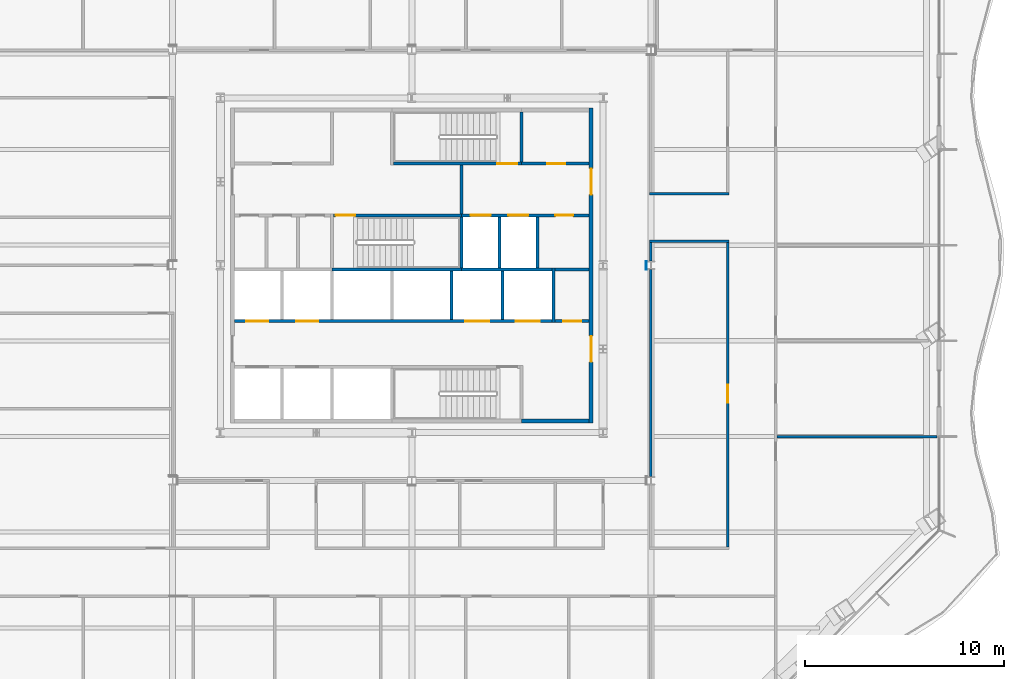
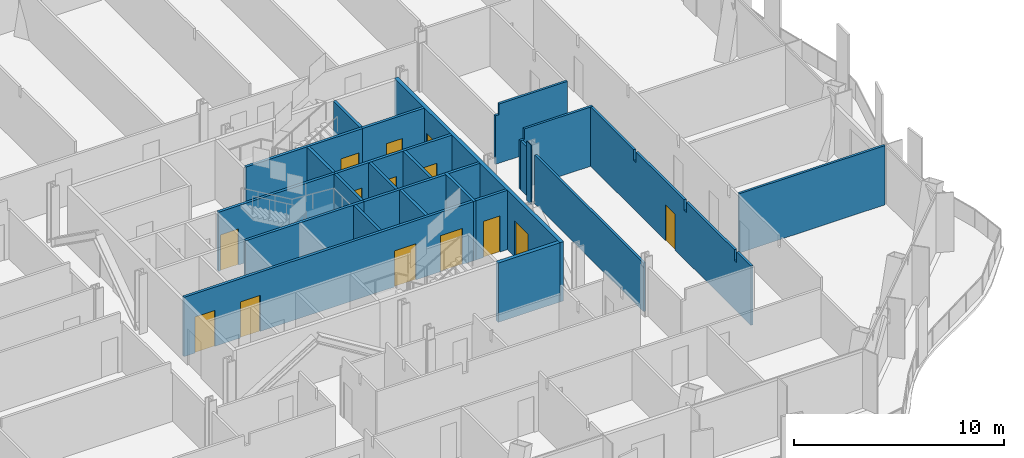
# One storey, part 10 of 22: 26 walls, 14 doors, 14 openings.
"""IFC4 building model written with IfcOpenShell, lengths in metres."""

import ifcopenshell
import ifcopenshell.guid

model = None  # the IFC model being written
_history = None  # IfcOwnerHistory: only IFC2X3 demands one
_inside = {}  # id of a spatial element -> (the spatial element, [elements in it])
_under = {}  # id of a project, library or spatial element -> (it, [spatial elements below it])
_declared = {}  # id of a project -> (the project, [libraries it declares])
_typed = {}  # id of a type object -> (the type object, [elements of that type])
_made_of = {}  # id of a material, layer set ... -> (it, [elements and type objects made of it])


def new_model(schema):
    """Start an empty IFC model of exactly this schema.

    Asked for "IFC4X3", IfcOpenShell would pick the latest addendum, in which some entities
    have other attributes; the version numbers below select the first issue.
    IFC2X3 requires an IfcOwnerHistory on every rooted entity: one is made here for all.
    """
    global model, _history
    if schema == "IFC4X3":
        model = ifcopenshell.file(schema_version=(4, 3, 0, 0))
    else:
        model = ifcopenshell.file(schema=schema)
    _inside.clear()
    _under.clear()
    _declared.clear()
    _typed.clear()
    _made_of.clear()
    _history = None
    if model.schema == "IFC2X3":
        org = make("IfcOrganization", Name="unknown")
        user = make(
            "IfcPersonAndOrganization",
            ThePerson=make("IfcPerson", FamilyName="unknown"),
            TheOrganization=org,
        )
        app = make(
            "IfcApplication",
            ApplicationDeveloper=org,
            Version="unknown",
            ApplicationFullName="unknown",
            ApplicationIdentifier="unknown",
        )
        _history = make(
            "IfcOwnerHistory",
            OwningUser=user,
            OwningApplication=app,
            ChangeAction="ADDED",
            CreationDate=0,
        )
    return model


def make(cls, **values):
    """One entity of the class cls with the attributes given. An attribute that is None is left unset."""
    return model.create_entity(
        cls, **{name: value for name, value in values.items() if value is not None}
    )


def rooted(cls, **values):
    """An entity with a GlobalId (a new one), such as an element, a storey or a relation."""
    return make(cls, GlobalId=ifcopenshell.guid.new(), OwnerHistory=_history, **values)


def si_unit(unit_type, name, prefix=None):
    """IfcSIUnit, for example si_unit("LENGTHUNIT", "METRE", prefix="MILLI")."""
    return make("IfcSIUnit", UnitType=unit_type, Prefix=prefix, Name=name)


def assignment(units):
    """IfcUnitAssignment: the units of a project."""
    return None if units is None else make("IfcUnitAssignment", Units=units)


def point(xyz):
    """IfcCartesianPoint."""
    return None if xyz is None else make("IfcCartesianPoint", Coordinates=xyz)


def direction(xyz):
    """IfcDirection."""
    return None if xyz is None else make("IfcDirection", DirectionRatios=xyz)


def frame(location, z_axis=None, x_axis=None):
    """IfcAxis2Placement3D, a coordinate frame: its origin and axes. An axis left out is left unset."""
    return make(
        "IfcAxis2Placement3D",
        Location=point(location),
        Axis=direction(z_axis),
        RefDirection=direction(x_axis),
    )


def frame_2d(location, x_axis=None):
    """IfcAxis2Placement2D, a coordinate frame in the plane: its origin and x axis."""
    return make(
        "IfcAxis2Placement2D", Location=point(location), RefDirection=direction(x_axis)
    )


def origin():
    """The frame at (0, 0, 0) with its axes left unset."""
    return frame((0.0, 0.0, 0.0))


def place(relative_to, where):
    """IfcLocalPlacement: puts the frame where relative to a parent placement (None: the world)."""
    return make(
        "IfcLocalPlacement", PlacementRelTo=relative_to, RelativePlacement=where
    )


def context(
    kind, dimensions, precision=None, world=None, true_north=None, identifier=None
):
    """IfcGeometricRepresentationContext, for example the 3D "Model" context."""
    return make(
        "IfcGeometricRepresentationContext",
        ContextIdentifier=identifier,
        ContextType=kind,
        CoordinateSpaceDimension=dimensions,
        Precision=precision,
        WorldCoordinateSystem=world,
        TrueNorth=true_north,
    )


def subcontext(parent, identifier, kind, view, scale=None):
    """IfcGeometricRepresentationSubContext, for example "Body" below "Model"."""
    return make(
        "IfcGeometricRepresentationSubContext",
        ContextIdentifier=identifier,
        ContextType=kind,
        ParentContext=parent,
        TargetScale=scale,
        TargetView=view,
    )


def project(units=None, contexts=None):
    """IfcProject with its units and contexts."""
    return rooted(
        "IfcProject",
        Name="project",
        RepresentationContexts=contexts,
        UnitsInContext=assignment(units),
    )


def spatial(cls, under=None, at=None, **own):
    """A site, building, storey or space (cls), placed at a placement, below another one or the project."""
    s = rooted(cls, ObjectPlacement=at, **own)
    if under is not None:
        _under.setdefault(under.id(), (under, []))[1].append(s)
    return s


def polyline(points):
    """IfcPolyline through the points."""
    return make("IfcPolyline", Points=[point(p) for p in points])


def profile(cls, at=None, kind="AREA", **sizes):
    """A parametric profile (cls). Its sizes go by their IFC names, for example OverallWidth=200.0."""
    return make(cls, ProfileType=kind, Position=at, **sizes)


def rectangle(**sizes):
    """IfcRectangleProfileDef."""
    return profile("IfcRectangleProfileDef", **sizes)


def outline(outer, holes=None, kind="AREA"):
    """IfcArbitraryClosedProfileDef: a profile drawn as a closed curve; with holes, ...WithVoids."""
    if holes is None:
        return make("IfcArbitraryClosedProfileDef", ProfileType=kind, OuterCurve=outer)
    return make(
        "IfcArbitraryProfileDefWithVoids",
        ProfileType=kind,
        OuterCurve=outer,
        InnerCurves=holes,
    )


def extrude(swept, where, along, depth):
    """IfcExtrudedAreaSolid: the profile swept, set in the frame where, extruded along a direction by depth."""
    return make(
        "IfcExtrudedAreaSolid",
        SweptArea=swept,
        Position=where,
        ExtrudedDirection=direction(along),
        Depth=depth,
    )


def shape(context_of_items, identifier, shape_type, items):
    """IfcShapeRepresentation: the items that make up one representation, for example the "Body"."""
    return make(
        "IfcShapeRepresentation",
        ContextOfItems=context_of_items,
        RepresentationIdentifier=identifier,
        RepresentationType=shape_type,
        Items=items,
    )


def material(Name=None, Category=None):
    """IfcMaterial."""
    return make("IfcMaterial", Name=Name, Category=Category)


def layer(
    of_material, thickness, ventilated=None, Name=None, Category=None, Priority=None
):
    """IfcMaterialLayer: one layer of a wall or slab, of a material (None: an air gap)."""
    return make(
        "IfcMaterialLayer",
        Material=of_material,
        LayerThickness=thickness,
        IsVentilated=ventilated,
        Name=Name,
        Category=Category,
        Priority=Priority,
    )


def layer_set(layers, Name=None):
    """IfcMaterialLayerSet."""
    return make("IfcMaterialLayerSet", MaterialLayers=layers, LayerSetName=Name)


def made_of(thing, what):
    """Note that an element or type object is made of a material, layer set ...; save() writes the relation."""
    if what is not None:
        _made_of.setdefault(what.id(), (what, []))[1].append(thing)
    return thing


def type_object(cls, material=None, **own):
    """A type object (cls), such as IfcWallType, which elements share."""
    return made_of(rooted(cls, **own), material)


def element(
    cls,
    number,
    at=None,
    inside=None,
    cuts=None,
    type_object=None,
    material=None,
    context=None,
    identifier="Body",
    shape_type=None,
    held_by="IfcProductDefinitionShape",
    body=None,
    shapes=None,
    **own,
):
    """One element of the class cls, such as IfcWall. Its Tag is "e" and its number.

    at: its placement. inside: the storey or other place that contains it. cuts: it is an
    opening in that element (IfcRelVoidsElement). A single representation is given by context,
    identifier, shape_type and body (its items); several are given by shapes. held_by: the class
    of the entity that holds the representations. save() writes the other relations.
    """
    e = rooted(cls, Tag="e%d" % number, ObjectPlacement=at, **own)
    if body is not None:
        shapes = [shape(context, identifier, shape_type, body)]
    if shapes is not None:
        e.Representation = make(held_by, Representations=shapes)
    if inside is not None:
        _inside.setdefault(inside.id(), (inside, []))[1].append(e)
    if cuts is not None:
        rooted(
            "IfcRelVoidsElement", RelatingBuildingElement=cuts, RelatedOpeningElement=e
        )
    if type_object is not None:
        _typed.setdefault(type_object.id(), (type_object, []))[1].append(e)
    return made_of(e, material)


def fill(opening, filler):
    """IfcRelFillsElement: the door or window that sits in an opening."""
    return rooted(
        "IfcRelFillsElement",
        RelatingOpeningElement=opening,
        RelatedBuildingElement=filler,
    )


def aggregate(whole, parts):
    """IfcRelAggregates: a whole, such as a stair, and the parts it consists of."""
    return rooted("IfcRelAggregates", RelatingObject=whole, RelatedObjects=parts)


def save(model, path):
    """Write the relations noted so far, then the file.

    IfcRelAggregates (storeys below a building ...), IfcRelContainedInSpatialStructure (elements
    in a storey), IfcRelDefinesByType, IfcRelAssociatesMaterial and IfcRelDeclares: one each for
    every whole, place, type object, material and project.
    """
    for whole, parts in _under.values():
        aggregate(whole, parts)
    for where, things in _inside.values():
        rooted(
            "IfcRelContainedInSpatialStructure",
            RelatedElements=things,
            RelatingStructure=where,
        )
    for kind, things in _typed.values():
        rooted("IfcRelDefinesByType", RelatedObjects=things, RelatingType=kind)
    for what, things in _made_of.values():
        rooted("IfcRelAssociatesMaterial", RelatedObjects=things, RelatingMaterial=what)
    for by, libraries in _declared.values():
        rooted("IfcRelDeclares", RelatingContext=by, RelatedDefinitions=libraries)
    model.write(path)


model = new_model("IFC4")

# Units and contexts
model_context = context("Model", 3, precision=1e-05, world=origin(), true_north=direction((0.0, 1.0)))
body_context = subcontext(model_context, "Body", "Model", "MODEL_VIEW")
ifc_project = project(units=[si_unit("LENGTHUNIT", "METRE"), si_unit("AREAUNIT", "SQUARE_METRE"), si_unit("VOLUMEUNIT", "CUBIC_METRE"), si_unit("PLANEANGLEUNIT", "RADIAN"), si_unit("MASSUNIT", "GRAM", prefix="KILO")], contexts=[model_context])

# Site, building, storey
site_placement = place(None, origin())
site = spatial("IfcSite", under=ifc_project, at=site_placement, CompositionType="ELEMENT")
building_placement = place(site_placement, origin())
building = spatial("IfcBuilding", under=site, at=building_placement, Name="Cairn Pilgrim Tower", CompositionType="ELEMENT")
storey_placement = place(building_placement, frame((0.0, 0.0, 105.0)))
storey = spatial("IfcBuildingStorey", under=building, at=storey_placement, Name="L25", CompositionType="ELEMENT", Elevation=105.0)

# Wall
ifc_material_1 = material(Name="Concrete C32/40", Category="concrete")
ifc_layer_1 = layer(ifc_material_1, 0.199951171875)
ifc_layer_set_1 = layer_set([ifc_layer_1], Name="CORE OUTER WALL 200 EI 120")
wall_type_1 = type_object("IfcWallType", Name="CORE OUTER WALL 200 EI 120", PredefinedType="SOLIDWALL", material=ifc_layer_set_1)
wall_1_placement = place(storey_placement, frame((12.699951171875, -5.39990234375, 0.0), z_axis=(0.0, 0.0, 1.0), x_axis=(1.0, 0.0, 0.0)))
element("IfcWall", 1, at=wall_1_placement, inside=storey, type_object=wall_type_1, Name="CW:L25:H01-3", PredefinedType="SOLIDWALL", context=body_context, shape_type="SweptSolid", body=[
    extrude(rectangle(XDim=3.400146484375, YDim=0.199951171875, at=frame_2d((1.7001953125, 0.0))), origin(), (0.0, 0.0, 1.0), 3.449951171875),
])

# Wall, openings, doors
wall_2_placement = place(storey_placement, frame((16.199951171875, -5.5, 0.0), z_axis=(0.0, 0.0, 1.0), x_axis=(0.0, 1.0, 0.0)))
wall_2 = element("IfcWall", 2, at=wall_2_placement, inside=storey, type_object=wall_type_1, Name="CW:L25:V33", PredefinedType="SOLIDWALL", context=body_context, shape_type="SweptSolid", body=[
    extrude(rectangle(XDim=15.800048828125, YDim=0.199951171875, at=frame_2d((7.89990234375, 0.0))), origin(), (0.0, 0.0, 1.0), 3.449951171875),
])
opening_1_placement = place(wall_2_placement, frame((3.050048828125, 0.0, 0.0)))
opening_1 = element("IfcOpeningElement", 3, at=opening_1_placement, cuts=wall_2, Name="Opening CD-E1", PredefinedType="OPENING", context=body_context, shape_type="SweptSolid", body=[
    extrude(rectangle(XDim=1.300048828125, YDim=2.10009765625, at=frame_2d((0.64990234375, 1.050048828125))), frame((0.0, 0.10986328125, 0.0), z_axis=(0.0, -1.0, 0.0), x_axis=(1.0, 0.0, 0.0)), (0.0, 0.0, 1.0), 0.219970703125),
])
opening_2_placement = place(wall_2_placement, frame((11.449951171875, 0.0, 0.0)))
opening_2 = element("IfcOpeningElement", 4, at=opening_2_placement, cuts=wall_2, Name="Opening CD-E2", PredefinedType="OPENING", context=body_context, shape_type="SweptSolid", body=[
    extrude(rectangle(XDim=1.300048828125, YDim=2.10009765625, at=frame_2d((0.64990234375, 1.050048828125))), frame((0.0, 0.10986328125, 0.0), z_axis=(0.0, -1.0, 0.0), x_axis=(1.0, 0.0, 0.0)), (0.0, 0.0, 1.0), 0.219970703125),
])
ifc_material_2 = material(Name="Painted steel", Category="steel")
door_type_1 = type_object("IfcDoorType", Name="CORE LOBBY DOOR 1300x2100", OperationType="DOUBLE_DOOR_SINGLE_SWING", PredefinedType="DOOR", material=ifc_material_2)
door_1_placement = place(opening_1_placement, origin())
door_1 = element("IfcDoor", 5, at=door_1_placement, inside=storey, type_object=door_type_1, Name="CD-E1", OperationType="DOUBLE_DOOR_SINGLE_SWING", OverallHeight=2.10009765625, OverallWidth=1.300048828125, PredefinedType="DOOR", context=body_context, shape_type="SweptSolid", body=[
    extrude(rectangle(XDim=1.300048828125, YDim=2.10009765625, at=frame_2d((0.64990234375, 1.050048828125))), frame((0.0, 0.02490234375, 0.0), z_axis=(0.0, -1.0, 0.0), x_axis=(1.0, 0.0, 0.0)), (0.0, 0.0, 1.0), 0.050048828125),
])
fill(opening_1, door_1)
door_2_placement = place(opening_2_placement, origin())
door_2 = element("IfcDoor", 6, at=door_2_placement, inside=storey, type_object=door_type_1, Name="CD-E2", OperationType="DOUBLE_DOOR_SINGLE_SWING", OverallHeight=2.10009765625, OverallWidth=1.300048828125, PredefinedType="DOOR", context=body_context, shape_type="SweptSolid", body=[
    extrude(rectangle(XDim=1.300048828125, YDim=2.10009765625, at=frame_2d((0.64990234375, 1.050048828125))), frame((0.0, 0.02490234375, 0.0), z_axis=(0.0, -1.0, 0.0), x_axis=(1.0, 0.0, 0.0)), (0.0, 0.0, 1.0), 0.050048828125),
])
fill(opening_2, door_2)

# Wall, opening, door
ifc_layer_2 = layer(ifc_material_1, 0.14990234375)
ifc_layer_set_2 = layer_set([ifc_layer_2], Name="CORE PARTITION 150 EI 60")
wall_type_2 = type_object("IfcWallType", Name="CORE PARTITION 150 EI 60", PredefinedType="PARTITIONING", material=ifc_layer_set_2)
wall_3_placement = place(storey_placement, frame((14.375, -0.39990234375, 0.0), z_axis=(0.0, 0.0, 1.0), x_axis=(1.0, 0.0, 0.0)))
wall_3 = element("IfcWall", 7, at=wall_3_placement, inside=storey, type_object=wall_type_2, Name="CW:L25:H04", PredefinedType="PARTITIONING", context=body_context, shape_type="SweptSolid", body=[
    extrude(rectangle(XDim=1.72509765625, YDim=0.14990234375, at=frame_2d((0.862548828125, 0.0))), origin(), (0.0, 0.0, 1.0), 3.449951171875),
])
opening_3_placement = place(wall_3_placement, frame((0.425048828125, 0.0, 0.0)))
opening_3 = element("IfcOpeningElement", 8, at=opening_3_placement, cuts=wall_3, Name="Opening RD-R2E", PredefinedType="OPENING", context=body_context, shape_type="SweptSolid", body=[
    extrude(rectangle(XDim=0.89990234375, YDim=2.10009765625, at=frame_2d((0.449951171875, 1.050048828125))), frame((0.0, 0.0849609375, 0.0), z_axis=(0.0, -1.0, 0.0), x_axis=(1.0, 0.0, 0.0)), (0.0, 0.0, 1.0), 0.169921875),
])
door_type_2 = type_object("IfcDoorType", Name="SERVICE ROOM DOOR 900x2100", OperationType="SINGLE_SWING_LEFT", PredefinedType="DOOR", material=ifc_material_2)
door_3_placement = place(opening_3_placement, origin())
door_3 = element("IfcDoor", 9, at=door_3_placement, inside=storey, type_object=door_type_2, Name="RD-R2E", OperationType="SINGLE_SWING_LEFT", OverallHeight=2.10009765625, OverallWidth=0.89990234375, PredefinedType="DOOR", context=body_context, shape_type="SweptSolid", body=[
    extrude(rectangle(XDim=0.89990234375, YDim=2.10009765625, at=frame_2d((0.449951171875, 1.050048828125))), frame((0.0, 0.02490234375, 0.0), z_axis=(0.0, -1.0, 0.0), x_axis=(1.0, 0.0, 0.0)), (0.0, 0.0, 1.0), 0.050048828125),
])
fill(opening_3, door_3)

# Wall
wall_4_placement = place(storey_placement, frame((14.375, 2.199951171875, 0.0), z_axis=(0.0, 0.0, 1.0), x_axis=(1.0, 0.0, 0.0)))
element("IfcWall", 10, at=wall_4_placement, inside=storey, type_object=wall_type_2, Name="CW:L25:H06", PredefinedType="PARTITIONING", context=body_context, shape_type="SweptSolid", body=[
    extrude(rectangle(XDim=1.72509765625, YDim=0.14990234375, at=frame_2d((0.862548828125, 0.0))), origin(), (0.0, 0.0, 1.0), 3.449951171875),
])

# Wall, openings, doors
ifc_layer_3 = layer(ifc_material_1, 0.14990234375)
ifc_layer_set_3 = layer_set([ifc_layer_3], Name="CORE SHAFT WALL 150 EI 120")
wall_type_3 = type_object("IfcWallType", Name="CORE SHAFT WALL 150 EI 120", PredefinedType="SOLIDWALL", material=ifc_layer_set_3)
wall_5_placement = place(storey_placement, frame((-1.699951171875, -0.39990234375, 0.0), z_axis=(0.0, 0.0, 1.0), x_axis=(1.0, 0.0, 0.0)))
wall_5 = element("IfcWall", 11, at=wall_5_placement, inside=storey, type_object=wall_type_3, Name="CW:L25:H03", PredefinedType="SOLIDWALL", context=body_context, shape_type="SweptSolid", body=[
    extrude(rectangle(XDim=15.925048828125, YDim=0.14990234375, at=frame_2d((7.96240234375, 0.0))), origin(), (0.0, 0.0, 1.0), 3.449951171875),
])
opening_4_placement = place(wall_5_placement, frame((0.60009765625, 0.0, 0.0)))
opening_4 = element("IfcOpeningElement", 12, at=opening_4_placement, cuts=wall_5, Name="Opening LD-LR3", PredefinedType="OPENING", context=body_context, shape_type="SweptSolid", body=[
    extrude(rectangle(XDim=1.10009765625, YDim=2.10009765625, at=frame_2d((0.550048828125, 1.050048828125))), frame((0.0, 0.0849609375, 0.0), z_axis=(0.0, -1.0, 0.0), x_axis=(1.0, 0.0, 0.0)), (0.0, 0.0, 1.0), 0.169921875),
])
opening_5_placement = place(wall_5_placement, frame((3.10009765625, 0.0, 0.0)))
opening_5 = element("IfcOpeningElement", 13, at=opening_5_placement, cuts=wall_5, Name="Opening LD-LR4", PredefinedType="OPENING", context=body_context, shape_type="SweptSolid", body=[
    extrude(rectangle(XDim=1.10009765625, YDim=2.10009765625, at=frame_2d((0.550048828125, 1.050048828125))), frame((0.0, 0.0849609375, 0.0), z_axis=(0.0, -1.0, 0.0), x_axis=(1.0, 0.0, 0.0)), (0.0, 0.0, 1.0), 0.169921875),
])
opening_6_placement = place(wall_5_placement, frame((11.574951171875, 0.0, 0.0)))
opening_6 = element("IfcOpeningElement", 14, at=opening_6_placement, cuts=wall_5, Name="Opening LD-SV1", PredefinedType="OPENING", context=body_context, shape_type="SweptSolid", body=[
    extrude(rectangle(XDim=1.199951171875, YDim=2.10009765625, at=frame_2d((0.60009765625, 1.050048828125))), frame((0.0, 0.0849609375, 0.0), z_axis=(0.0, -1.0, 0.0), x_axis=(1.0, 0.0, 0.0)), (0.0, 0.0, 1.0), 0.169921875),
])
opening_7_placement = place(wall_5_placement, frame((14.125, 0.0, 0.0)))
opening_7 = element("IfcOpeningElement", 15, at=opening_7_placement, cuts=wall_5, Name="Opening LD-SV2", PredefinedType="OPENING", context=body_context, shape_type="SweptSolid", body=[
    extrude(rectangle(XDim=1.199951171875, YDim=2.10009765625, at=frame_2d((0.60009765625, 1.050048828125))), frame((0.0, 0.0849609375, 0.0), z_axis=(0.0, -1.0, 0.0), x_axis=(1.0, 0.0, 0.0)), (0.0, 0.0, 1.0), 0.169921875),
])
ifc_material_3 = material(Name="Stainless steel", Category="steel")
door_type_3 = type_object("IfcDoorType", Name="LIFT LANDING DOOR 1100x2100", OperationType="DOUBLE_DOOR_SLIDING", PredefinedType="DOOR", material=ifc_material_3)
door_4_placement = place(opening_4_placement, origin())
door_4 = element("IfcDoor", 16, at=door_4_placement, inside=storey, type_object=door_type_3, Name="LANDING DOOR LR3", OperationType="DOUBLE_DOOR_SLIDING", OverallHeight=2.10009765625, OverallWidth=1.10009765625, PredefinedType="DOOR", context=body_context, shape_type="SweptSolid", body=[
    extrude(rectangle(XDim=1.10009765625, YDim=2.10009765625, at=frame_2d((0.550048828125, 1.050048828125))), frame((0.0, 0.02490234375, 0.0), z_axis=(0.0, -1.0, 0.0), x_axis=(1.0, 0.0, 0.0)), (0.0, 0.0, 1.0), 0.050048828125),
])
fill(opening_4, door_4)
door_5_placement = place(opening_5_placement, origin())
door_5 = element("IfcDoor", 17, at=door_5_placement, inside=storey, type_object=door_type_3, Name="LANDING DOOR LR4", OperationType="DOUBLE_DOOR_SLIDING", OverallHeight=2.10009765625, OverallWidth=1.10009765625, PredefinedType="DOOR", context=body_context, shape_type="SweptSolid", body=[
    extrude(rectangle(XDim=1.10009765625, YDim=2.10009765625, at=frame_2d((0.550048828125, 1.050048828125))), frame((0.0, 0.02490234375, 0.0), z_axis=(0.0, -1.0, 0.0), x_axis=(1.0, 0.0, 0.0)), (0.0, 0.0, 1.0), 0.050048828125),
])
fill(opening_5, door_5)
door_type_4 = type_object("IfcDoorType", Name="LIFT LANDING DOOR 1200x2100", OperationType="DOUBLE_DOOR_SLIDING", PredefinedType="DOOR", material=ifc_material_3)
door_6_placement = place(opening_6_placement, origin())
door_6 = element("IfcDoor", 18, at=door_6_placement, inside=storey, type_object=door_type_4, Name="LANDING DOOR SV1", OperationType="DOUBLE_DOOR_SLIDING", OverallHeight=2.10009765625, OverallWidth=1.199951171875, PredefinedType="DOOR", context=body_context, shape_type="SweptSolid", body=[
    extrude(rectangle(XDim=1.199951171875, YDim=2.10009765625, at=frame_2d((0.60009765625, 1.050048828125))), frame((0.0, 0.02490234375, 0.0), z_axis=(0.0, -1.0, 0.0), x_axis=(1.0, 0.0, 0.0)), (0.0, 0.0, 1.0), 0.050048828125),
])
fill(opening_6, door_6)
door_7_placement = place(opening_7_placement, origin())
door_7 = element("IfcDoor", 19, at=door_7_placement, inside=storey, type_object=door_type_4, Name="LANDING DOOR SV2", OperationType="DOUBLE_DOOR_SLIDING", OverallHeight=2.10009765625, OverallWidth=1.199951171875, PredefinedType="DOOR", context=body_context, shape_type="SweptSolid", body=[
    extrude(rectangle(XDim=1.199951171875, YDim=2.10009765625, at=frame_2d((0.60009765625, 1.050048828125))), frame((0.0, 0.02490234375, 0.0), z_axis=(0.0, -1.0, 0.0), x_axis=(1.0, 0.0, 0.0)), (0.0, 0.0, 1.0), 0.050048828125),
])
fill(opening_7, door_7)

# Wall
wall_6_placement = place(storey_placement, frame((9.699951171875, 2.199951171875, 0.0), z_axis=(0.0, 0.0, 1.0), x_axis=(1.0, 0.0, 0.0)))
element("IfcWall", 20, at=wall_6_placement, inside=storey, type_object=wall_type_3, Name="CW:L25:H05-3", PredefinedType="SOLIDWALL", context=body_context, shape_type="SweptSolid", body=[
    extrude(rectangle(XDim=4.525146484375, YDim=0.14990234375, at=frame_2d((2.2626953125, 0.0))), origin(), (0.0, 0.0, 1.0), 3.449951171875),
])

# Wall, openings, doors
wall_7_placement = place(storey_placement, frame((9.699951171875, 4.89990234375, 0.0), z_axis=(0.0, 0.0, 1.0), x_axis=(1.0, 0.0, 0.0)))
wall_7 = element("IfcWall", 21, at=wall_7_placement, inside=storey, type_object=wall_type_3, Name="CW:L25:H08-2", PredefinedType="SOLIDWALL", context=body_context, shape_type="SweptSolid", body=[
    extrude(rectangle(XDim=6.400146484375, YDim=0.14990234375, at=frame_2d((3.2001953125, 0.0))), origin(), (0.0, 0.0, 1.0), 3.449951171875),
])
opening_8_placement = place(wall_7_placement, frame((0.449951171875, 0.0, 0.0)))
opening_8 = element("IfcOpeningElement", 22, at=opening_8_placement, cuts=wall_7, Name="Opening LD-FF1", PredefinedType="OPENING", context=body_context, shape_type="SweptSolid", body=[
    extrude(rectangle(XDim=1.0, YDim=2.10009765625, at=frame_2d((0.5, 1.050048828125))), frame((0.0, 0.0849609375, 0.0), z_axis=(0.0, -1.0, 0.0), x_axis=(1.0, 0.0, 0.0)), (0.0, 0.0, 1.0), 0.169921875),
])
opening_9_placement = place(wall_7_placement, frame((2.35009765625, 0.0, 0.0)))
opening_9 = element("IfcOpeningElement", 23, at=opening_9_placement, cuts=wall_7, Name="Opening LD-FF2", PredefinedType="OPENING", context=body_context, shape_type="SweptSolid", body=[
    extrude(rectangle(XDim=1.0, YDim=2.10009765625, at=frame_2d((0.5, 1.050048828125))), frame((0.0, 0.0849609375, 0.0), z_axis=(0.0, -1.0, 0.0), x_axis=(1.0, 0.0, 0.0)), (0.0, 0.0, 1.0), 0.169921875),
])
opening_10_placement = place(wall_7_placement, frame((4.699951171875, 0.0, 0.0)))
opening_10 = element("IfcOpeningElement", 24, at=opening_10_placement, cuts=wall_7, Name="Opening RD-R3E", PredefinedType="OPENING", context=body_context, shape_type="SweptSolid", body=[
    extrude(rectangle(XDim=0.89990234375, YDim=2.10009765625, at=frame_2d((0.449951171875, 1.050048828125))), frame((0.0, 0.0849609375, 0.0), z_axis=(0.0, -1.0, 0.0), x_axis=(1.0, 0.0, 0.0)), (0.0, 0.0, 1.0), 0.169921875),
])
door_type_5 = type_object("IfcDoorType", Name="LIFT LANDING DOOR FIRE 1000x2100", OperationType="DOUBLE_DOOR_SLIDING", PredefinedType="DOOR", material=ifc_material_3)
door_8_placement = place(opening_8_placement, origin())
door_8 = element("IfcDoor", 25, at=door_8_placement, inside=storey, type_object=door_type_5, Name="LANDING DOOR FF1", OperationType="DOUBLE_DOOR_SLIDING", OverallHeight=2.10009765625, OverallWidth=1.0, PredefinedType="DOOR", context=body_context, shape_type="SweptSolid", body=[
    extrude(rectangle(XDim=1.0, YDim=2.10009765625, at=frame_2d((0.5, 1.050048828125))), frame((0.0, 0.02490234375, 0.0), z_axis=(0.0, -1.0, 0.0), x_axis=(1.0, 0.0, 0.0)), (0.0, 0.0, 1.0), 0.050048828125),
])
fill(opening_8, door_8)
door_9_placement = place(opening_9_placement, origin())
door_9 = element("IfcDoor", 26, at=door_9_placement, inside=storey, type_object=door_type_5, Name="LANDING DOOR FF2", OperationType="DOUBLE_DOOR_SLIDING", OverallHeight=2.10009765625, OverallWidth=1.0, PredefinedType="DOOR", context=body_context, shape_type="SweptSolid", body=[
    extrude(rectangle(XDim=1.0, YDim=2.10009765625, at=frame_2d((0.5, 1.050048828125))), frame((0.0, 0.02490234375, 0.0), z_axis=(0.0, -1.0, 0.0), x_axis=(1.0, 0.0, 0.0)), (0.0, 0.0, 1.0), 0.050048828125),
])
fill(opening_9, door_9)
door_10_placement = place(opening_10_placement, origin())
door_10 = element("IfcDoor", 27, at=door_10_placement, inside=storey, type_object=door_type_2, Name="RD-R3E", OperationType="SINGLE_SWING_RIGHT", OverallHeight=2.10009765625, OverallWidth=0.89990234375, PredefinedType="DOOR", context=body_context, shape_type="SweptSolid", body=[
    extrude(rectangle(XDim=0.89990234375, YDim=2.10009765625, at=frame_2d((0.449951171875, 1.050048828125))), frame((0.0, 0.02490234375, 0.0), z_axis=(0.0, -1.0, 0.0), x_axis=(1.0, 0.0, 0.0)), (0.0, 0.0, 1.0), 0.050048828125),
])
fill(opening_10, door_10)

# Wall, opening, door
wall_8_placement = place(storey_placement, frame((12.699951171875, 7.5, 0.0), z_axis=(0.0, 0.0, 1.0), x_axis=(1.0, 0.0, 0.0)))
wall_8 = element("IfcWall", 28, at=wall_8_placement, inside=storey, type_object=wall_type_3, Name="CW:L25:H10-2", PredefinedType="SOLIDWALL", context=body_context, shape_type="SweptSolid", body=[
    extrude(rectangle(XDim=3.400146484375, YDim=0.14990234375, at=frame_2d((1.7001953125, 0.0))), origin(), (0.0, 0.0, 1.0), 3.449951171875),
])
opening_11_placement = place(wall_8_placement, frame((1.300048828125, 0.0, 0.0)))
opening_11 = element("IfcOpeningElement", 29, at=opening_11_placement, cuts=wall_8, Name="Opening RD-R4E", PredefinedType="OPENING", context=body_context, shape_type="SweptSolid", body=[
    extrude(rectangle(XDim=0.89990234375, YDim=2.10009765625, at=frame_2d((0.449951171875, 1.050048828125))), frame((0.0, 0.0849609375, 0.0), z_axis=(0.0, -1.0, 0.0), x_axis=(1.0, 0.0, 0.0)), (0.0, 0.0, 1.0), 0.169921875),
])
door_11_placement = place(opening_11_placement, origin())
door_11 = element("IfcDoor", 30, at=door_11_placement, inside=storey, type_object=door_type_2, Name="RD-R4E", OperationType="SINGLE_SWING_LEFT", OverallHeight=2.10009765625, OverallWidth=0.89990234375, PredefinedType="DOOR", context=body_context, shape_type="SweptSolid", body=[
    extrude(rectangle(XDim=0.89990234375, YDim=2.10009765625, at=frame_2d((0.449951171875, 1.050048828125))), frame((0.0, 0.02490234375, 0.0), z_axis=(0.0, -1.0, 0.0), x_axis=(1.0, 0.0, 0.0)), (0.0, 0.0, 1.0), 0.050048828125),
])
fill(opening_11, door_11)

# Walls
for number, where, z_axis, x_axis, name in (
    (31, (9.199951171875, -0.324951171875, 0.0), (0.0, 0.0, 1.0), (0.0, 1.0, 0.0), "CW:L25:V24"),
    (32, (9.699951171875, 4.97509765625, 0.0), (0.0, 0.0, 1.0), (0.0, 1.0, 0.0), "CW:L25:V26"),
):
    element("IfcWall", number, at=place(storey_placement, frame(where, z_axis=z_axis, x_axis=x_axis)), inside=storey, type_object=wall_type_3, Name=name, PredefinedType="SOLIDWALL", context=body_context, shape_type="SweptSolid", body=[
        extrude(rectangle(XDim=2.449951171875, YDim=0.14990234375, at=frame_2d((1.22509765625, 0.0))), origin(), (0.0, 0.0, 1.0), 3.449951171875),
    ])
wall_9_placement = place(storey_placement, frame((11.60009765625, 2.27490234375, 0.0), z_axis=(0.0, 0.0, 1.0), x_axis=(0.0, 1.0, 0.0)))
element("IfcWall", 33, at=wall_9_placement, inside=storey, type_object=wall_type_3, Name="CW:L25:V27", PredefinedType="SOLIDWALL", context=body_context, shape_type="SweptSolid", body=[
    extrude(rectangle(XDim=2.550048828125, YDim=0.14990234375, at=frame_2d((1.27490234375, 0.0))), origin(), (0.0, 0.0, 1.0), 3.449951171875),
])
wall_10_placement = place(storey_placement, frame((11.75, -0.324951171875, 0.0), z_axis=(0.0, 0.0, 1.0), x_axis=(0.0, 1.0, 0.0)))
element("IfcWall", 34, at=wall_10_placement, inside=storey, type_object=wall_type_3, Name="CW:L25:V28", PredefinedType="SOLIDWALL", context=body_context, shape_type="SweptSolid", body=[
    extrude(rectangle(XDim=2.449951171875, YDim=0.14990234375, at=frame_2d((1.22509765625, 0.0))), origin(), (0.0, 0.0, 1.0), 3.449951171875),
])
wall_11_placement = place(storey_placement, frame((13.5, 2.27490234375, 0.0), z_axis=(0.0, 0.0, 1.0), x_axis=(0.0, 1.0, 0.0)))
element("IfcWall", 35, at=wall_11_placement, inside=storey, type_object=wall_type_3, Name="CW:L25:V31", PredefinedType="SOLIDWALL", context=body_context, shape_type="SweptSolid", body=[
    extrude(rectangle(XDim=2.550048828125, YDim=0.14990234375, at=frame_2d((1.27490234375, 0.0))), origin(), (0.0, 0.0, 1.0), 3.449951171875),
])
wall_12_placement = place(storey_placement, frame((14.300048828125, -0.47509765625, 0.0), z_axis=(0.0, 0.0, 1.0), x_axis=(0.0, 1.0, 0.0)))
element("IfcWall", 36, at=wall_12_placement, inside=storey, type_object=wall_type_3, Name="CW:L25:V32", PredefinedType="SOLIDWALL", context=body_context, shape_type="SweptSolid", body=[
    extrude(rectangle(XDim=2.75, YDim=0.14990234375, at=frame_2d((1.375, 0.0))), origin(), (0.0, 0.0, 1.0), 3.449951171875),
])

# Wall, opening, door
ifc_material_4 = material(Name="Gypsum partition")
ifc_layer_4 = layer(ifc_material_4, 0.125)
ifc_layer_set_4 = layer_set([ifc_layer_4], Name="PARTITION 125 DRYWALL EI 60")
wall_type_4 = type_object("IfcWallType", Name="PARTITION 125 DRYWALL EI 60", PredefinedType="PARTITIONING", material=ifc_layer_set_4)
wall_13_placement = place(storey_placement, frame((23.06298828125, -11.737548828125, 0.0), z_axis=(0.0, 0.0, 1.0), x_axis=(0.0, 1.0, 0.0)))
wall_13 = element("IfcWall", 37, at=wall_13_placement, inside=storey, type_object=wall_type_4, Name="PARTITION W028", PredefinedType="PARTITIONING", context=body_context, shape_type="SweptSolid", body=[
    extrude(outline(polyline([(0.0, 0.0), (15.275146484375, 0.0), (15.27490234375, 3.449951171875), (11.17529296875, 3.449951171875), (11.173095703125, 2.830078125), (10.955078125, 2.830078125), (10.953125, 3.449951171875), (6.375244140625, 3.449951171875), (6.373291015625, 2.830078125), (6.1552734375, 2.830078125), (6.1533203125, 3.449951171875), (1.5751953125, 3.449951171875), (1.5732421875, 2.830078125), (1.355224609375, 2.830078125), (1.353271484375, 3.449951171875), (0.0, 3.449951171875), (0.0, 0.0)])), frame((0.0, 0.0625, 0.0), z_axis=(0.0, -1.0, 0.0), x_axis=(1.0, 0.0, 0.0)), (0.0, 0.0, 1.0), 0.125),
])
opening_12_placement = place(wall_13_placement, frame((7.237548828125, 0.0, 0.0)))
opening_12 = element("IfcOpeningElement", 38, at=opening_12_placement, cuts=wall_13, Name="Opening 2528", PredefinedType="OPENING", context=body_context, shape_type="SweptSolid", body=[
    extrude(rectangle(XDim=0.89990234375, YDim=2.10009765625, at=frame_2d((0.449951171875, 1.050048828125))), frame((0.0, 0.072509765625, 0.0), z_axis=(0.0, -1.0, 0.0), x_axis=(1.0, 0.0, 0.0)), (0.0, 0.0, 1.0), 0.14501953125),
])
ifc_material_5 = material(Name="Steel-faced fire door leaf", Category="steel")
door_type_6 = type_object("IfcDoorType", Name="FIRE DOOR 900x2100 FD30S", OperationType="NOTDEFINED", PredefinedType="DOOR", material=ifc_material_5)
door_12_placement = place(opening_12_placement, origin())
door_12 = element("IfcDoor", 39, at=door_12_placement, inside=storey, type_object=door_type_6, Name="DOOR 2528", OperationType="SINGLE_SWING_LEFT", OverallHeight=2.10009765625, OverallWidth=0.89990234375, PredefinedType="DOOR", context=body_context, shape_type="SweptSolid", body=[
    extrude(rectangle(XDim=0.89990234375, YDim=2.10009765625, at=frame_2d((0.449951171875, 1.050048828125))), frame((0.0, 0.02490234375, 0.0), z_axis=(0.0, -1.0, 0.0), x_axis=(1.0, 0.0, 0.0)), (0.0, 0.0, 1.0), 0.050048828125),
])
fill(opening_12, door_12)

# Walls
wall_14_placement = place(storey_placement, frame((19.199951171875, -8.1875, 0.0), z_axis=(0.0, 0.0, 1.0), x_axis=(0.0, 1.0, 0.0)))
element("IfcWall", 40, at=wall_14_placement, inside=storey, type_object=wall_type_4, Name="PARTITION W036", PredefinedType="PARTITIONING", context=body_context, shape_type="SweptSolid", body=[
    extrude(rectangle(XDim=10.375, YDim=0.125, at=frame_2d((5.1875, 0.0))), origin(), (0.0, 0.0, 1.0), 2.830078125),
])
wall_15_placement = place(storey_placement, frame((25.525390625, -6.19091796875, 0.0), z_axis=(0.0, 0.0, 1.0), x_axis=(1.0, 0.0, 0.0)))
element("IfcWall", 41, at=wall_15_placement, inside=storey, type_object=wall_type_4, Name="PARTITION W038", PredefinedType="PARTITIONING", context=body_context, shape_type="SweptSolid", body=[
    extrude(rectangle(XDim=8.03759765625, YDim=0.125, at=frame_2d((4.018798828125, 0.0))), origin(), (0.0, 0.0, 1.0), 3.449951171875),
])
wall_16_placement = place(storey_placement, frame((19.199951171875, 2.612548828125, 0.0), z_axis=(0.0, 0.0, 1.0), x_axis=(0.0, 1.0, 0.0)))
element("IfcWall", 42, at=wall_16_placement, inside=storey, type_object=wall_type_4, Name="PARTITION W047", PredefinedType="PARTITIONING", context=body_context, shape_type="SweptSolid", body=[
    extrude(rectangle(XDim=0.925048828125, YDim=0.125, at=frame_2d((0.46240234375, 0.0))), origin(), (0.0, 0.0, 1.0), 2.830078125),
])
for number, where, z_axis, x_axis, name in (
    (43, (19.137451171875, 3.60009765625, 0.0), (0.0, 0.0, 1.0), (1.0, 0.0, 0.0), "PARTITION W050"),
    (44, (19.137451171875, 6.0, 0.0), (0.0, 0.0, 1.0), (1.0, 0.0, 0.0), "PARTITION W052"),
):
    element("IfcWall", number, at=place(storey_placement, frame(where, z_axis=z_axis, x_axis=x_axis)), inside=storey, type_object=wall_type_4, Name=name, PredefinedType="PARTITIONING", context=body_context, shape_type="SweptSolid", body=[
        extrude(outline(polyline([(0.0, 0.0), (3.988037109375, 0.0), (3.988037109375, 3.449951171875), (0.21240234375, 3.449951171875), (0.21044921875, 2.830078125), (0.0, 2.830078125), (0.0, 0.0)])), frame((0.0, 0.0625, 0.0), z_axis=(0.0, -1.0, 0.0), x_axis=(1.0, 0.0, 0.0)), (0.0, 0.0, 1.0), 0.125),
    ])
ifc_layer_5 = layer(ifc_material_4, 0.050048828125)
ifc_layer_set_5 = layer_set([ifc_layer_5], Name="PARTITION 50 DRYWALL EI 60")
wall_type_5 = type_object("IfcWallType", Name="PARTITION 50 DRYWALL EI 60", PredefinedType="PARTITIONING", material=ifc_layer_set_5)
wall_17_placement = place(storey_placement, frame((18.970458984375, 2.1875, 0.0), z_axis=(0.0, 0.0, 1.0), x_axis=(0.0, 1.0, 0.0)))
element("IfcWall", 45, at=wall_17_placement, inside=storey, type_object=wall_type_5, Name="COLUMN CASING WC05", PredefinedType="PARTITIONING", context=body_context, shape_type="SweptSolid", body=[
    extrude(rectangle(XDim=0.425048828125, YDim=0.050048828125, at=frame_2d((0.21240234375, 0.0))), origin(), (0.0, 0.0, 1.0), 3.449951171875),
])
ifc_material_6 = material(Name="Concrete C35/45", Category="concrete")
ifc_layer_6 = layer(ifc_material_6, 0.14990234375)
ifc_layer_set_6 = layer_set([ifc_layer_6], Name="STAIR SHAFT WALL 150 EI 120")
wall_type_6 = type_object("IfcWallType", Name="STAIR SHAFT WALL 150 EI 120", PredefinedType="SOLIDWALL", material=ifc_layer_set_6)
wall_18_placement = place(storey_placement, frame((3.199951171875, 2.199951171875, 0.0), z_axis=(0.0, 0.0, 1.0), x_axis=(1.0, 0.0, 0.0)))
element("IfcWall", 46, at=wall_18_placement, inside=storey, type_object=wall_type_6, Name="CW:L25:H05-2", PredefinedType="SOLIDWALL", context=body_context, shape_type="SweptSolid", body=[
    extrude(rectangle(XDim=6.5, YDim=0.14990234375, at=frame_2d((3.25, 0.0))), origin(), (0.0, 0.0, 1.0), 3.449951171875),
])

# Wall, opening, door
wall_19_placement = place(storey_placement, frame((3.27490234375, 4.89990234375, 0.0), z_axis=(0.0, 0.0, 1.0), x_axis=(1.0, 0.0, 0.0)))
wall_19 = element("IfcWall", 47, at=wall_19_placement, inside=storey, type_object=wall_type_6, Name="CW:L25:H08-1", PredefinedType="SOLIDWALL", context=body_context, shape_type="SweptSolid", body=[
    extrude(rectangle(XDim=6.425048828125, YDim=0.14990234375, at=frame_2d((3.21240234375, 0.0))), origin(), (0.0, 0.0, 1.0), 3.449951171875),
])
opening_13_placement = place(wall_19_placement, frame((0.10009765625, 0.0, 0.0)))
opening_13 = element("IfcOpeningElement", 48, at=opening_13_placement, cuts=wall_19, Name="Opening SD-B", PredefinedType="OPENING", context=body_context, shape_type="SweptSolid", body=[
    extrude(rectangle(XDim=1.0, YDim=2.10009765625, at=frame_2d((0.5, 1.050048828125))), frame((0.0, 0.0849609375, 0.0), z_axis=(0.0, -1.0, 0.0), x_axis=(1.0, 0.0, 0.0)), (0.0, 0.0, 1.0), 0.169921875),
])
door_type_7 = type_object("IfcDoorType", Name="STAIR DOOR FD60S 1000x2100", OperationType="SINGLE_SWING_LEFT", PredefinedType="DOOR", material=ifc_material_2)
door_13_placement = place(opening_13_placement, origin())
door_13 = element("IfcDoor", 49, at=door_13_placement, inside=storey, type_object=door_type_7, Name="SD-B", OperationType="SINGLE_SWING_LEFT", OverallHeight=2.10009765625, OverallWidth=1.0, PredefinedType="DOOR", context=body_context, shape_type="SweptSolid", body=[
    extrude(rectangle(XDim=1.0, YDim=2.10009765625, at=frame_2d((0.5, 1.050048828125))), frame((0.0, 0.02490234375, 0.0), z_axis=(0.0, -1.0, 0.0), x_axis=(1.0, 0.0, 0.0)), (0.0, 0.0, 1.0), 0.050048828125),
])
fill(opening_13, door_13)

wall_20_placement = place(storey_placement, frame((6.27490234375, 7.5, 0.0), z_axis=(0.0, 0.0, 1.0), x_axis=(1.0, 0.0, 0.0)))
wall_20 = element("IfcWall", 50, at=wall_20_placement, inside=storey, type_object=wall_type_6, Name="CW:L25:H10-1", PredefinedType="SOLIDWALL", context=body_context, shape_type="SweptSolid", body=[
    extrude(rectangle(XDim=6.425048828125, YDim=0.14990234375, at=frame_2d((3.21240234375, 0.0))), origin(), (0.0, 0.0, 1.0), 3.449951171875),
])
opening_14_placement = place(wall_20_placement, frame((5.22509765625, 0.0, 0.0)))
opening_14 = element("IfcOpeningElement", 51, at=opening_14_placement, cuts=wall_20, Name="Opening SD-C", PredefinedType="OPENING", context=body_context, shape_type="SweptSolid", body=[
    extrude(rectangle(XDim=1.0, YDim=2.10009765625, at=frame_2d((0.5, 1.050048828125))), frame((0.0, 0.0849609375, 0.0), z_axis=(0.0, -1.0, 0.0), x_axis=(1.0, 0.0, 0.0)), (0.0, 0.0, 1.0), 0.169921875),
])
door_14_placement = place(opening_14_placement, origin())
door_14 = element("IfcDoor", 52, at=door_14_placement, inside=storey, type_object=door_type_7, Name="SD-C", OperationType="SINGLE_SWING_RIGHT", OverallHeight=2.10009765625, OverallWidth=1.0, PredefinedType="DOOR", context=body_context, shape_type="SweptSolid", body=[
    extrude(rectangle(XDim=1.0, YDim=2.10009765625, at=frame_2d((0.5, 1.050048828125))), frame((0.0, 0.02490234375, 0.0), z_axis=(0.0, -1.0, 0.0), x_axis=(1.0, 0.0, 0.0)), (0.0, 0.0, 1.0), 0.050048828125),
])
fill(opening_14, door_14)

# Walls
wall_21_placement = place(storey_placement, frame((9.699951171875, 2.27490234375, 0.0), z_axis=(0.0, 0.0, 1.0), x_axis=(0.0, 1.0, 0.0)))
element("IfcWall", 53, at=wall_21_placement, inside=storey, type_object=wall_type_6, Name="CW:L25:V25", PredefinedType="SOLIDWALL", context=body_context, shape_type="SweptSolid", body=[
    extrude(rectangle(XDim=2.550048828125, YDim=0.14990234375, at=frame_2d((1.27490234375, 0.0))), origin(), (0.0, 0.0, 1.0), 3.449951171875),
])
wall_22_placement = place(storey_placement, frame((12.699951171875, 7.574951171875, 0.0), z_axis=(0.0, 0.0, 1.0), x_axis=(0.0, 1.0, 0.0)))
element("IfcWall", 54, at=wall_22_placement, inside=storey, type_object=wall_type_6, Name="CW:L25:V30", PredefinedType="SOLIDWALL", context=body_context, shape_type="SweptSolid", body=[
    extrude(rectangle(XDim=2.525146484375, YDim=0.14990234375, at=frame_2d((1.2626953125, 0.0))), origin(), (0.0, 0.0, 1.0), 3.449951171875),
])

save(model, "model.ifc")
